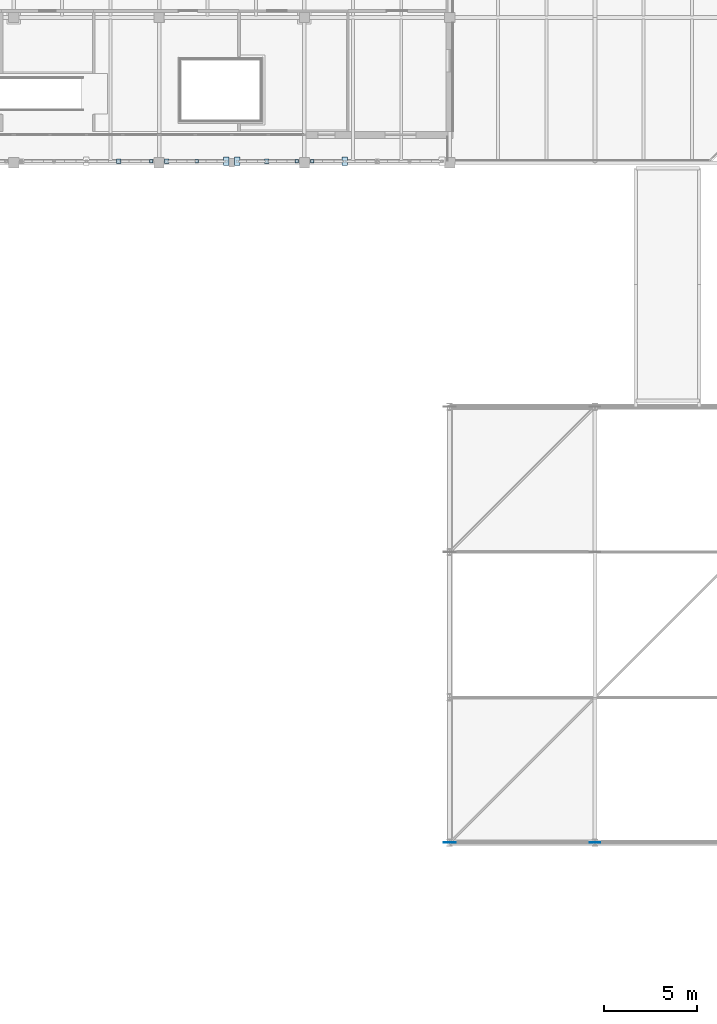
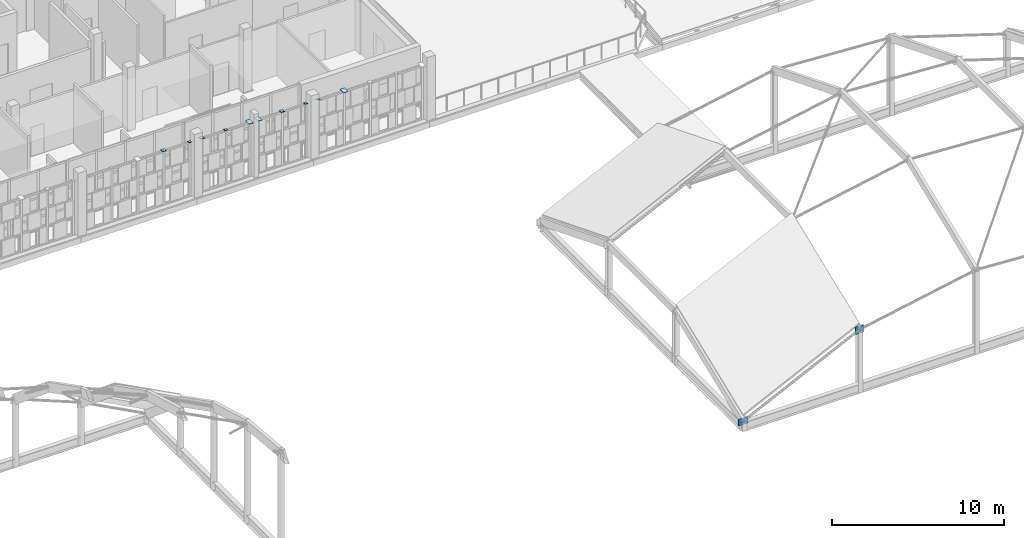
# One storey, part 84 of 119: 12 plates.
"""IFC4 building model written with IfcOpenShell, lengths in metres."""

from ifc_helpers import new_model, si_unit, direction, frame, origin, origin_2d, place, context, subcontext, project, spatial, rectangle, extrude, material, layer, layer_set, type_object, element, save


model = new_model("IFC4")

# Units and contexts
model_context = context("Model", 3, precision=1e-05, world=origin(), true_north=direction((0.0, 1.0)))
body_context = subcontext(model_context, "Body", "Model", "MODEL_VIEW")
ifc_project = project(units=[si_unit("LENGTHUNIT", "METRE"), si_unit("AREAUNIT", "SQUARE_METRE"), si_unit("VOLUMEUNIT", "CUBIC_METRE"), si_unit("PLANEANGLEUNIT", "RADIAN"), si_unit("MASSUNIT", "GRAM", prefix="KILO")], contexts=[model_context])

# Site, building, storey
site_placement = place(None, origin())
site = spatial("IfcSite", under=ifc_project, at=site_placement, CompositionType="ELEMENT")
building_placement = place(site_placement, origin())
building = spatial("IfcBuilding", under=site, at=building_placement, Name="Celorna Specialist Clinic", CompositionType="ELEMENT")
storey_placement = place(building_placement, frame((0.0, 0.0, 9.60009765625)))
storey = spatial("IfcBuildingStorey", under=building, at=storey_placement, Name="L02", CompositionType="ELEMENT", Elevation=9.60009765625)

# Plates
ifc_material = material(Name="Steel S355", Category="steel")
ifc_layer_1 = layer(ifc_material, 0.011962890625, Name="Steel S355")
ifc_layer_set_1 = layer_set([ifc_layer_1], Name="Steel S355")
plate_type_1 = type_object("IfcPlateType", Name="EP-06", PredefinedType="SHEET", material=ifc_layer_set_1)
for number, where, z_axis, x_axis, name in (
    (1, (116.5849609375, 96.580078125, 3.83984375), (0.0, 0.0, 1.0), (1.0, 0.0, 0.0), "Screen post cap plate EP-06 #1170"),
    (2, (119.012451171875, 96.580078125, 3.83984375), (0.0, 0.0, 1.0), (1.0, 0.0, 0.0), "Screen post cap plate EP-06 #1188"),
    (3, (124.385009765625, 96.580078125, 3.83984375), (0.0, 0.0, 1.0), (1.0, 0.0, 0.0), "Screen post cap plate EP-06 #1200"),
    (4, (125.215087890625, 96.580078125, 3.83984375), (0.0, 0.0, 1.0), (1.0, 0.0, 0.0), "Screen post cap plate EP-06 #1209"),
):
    element("IfcPlate", number, at=place(storey_placement, frame(where, z_axis=z_axis, x_axis=x_axis)), inside=storey, type_object=plate_type_1, Name=name, PredefinedType="SHEET", context=body_context, shape_type="SweptSolid", body=[
        extrude(rectangle(XDim=0.179931640625, YDim=0.179931640625, at=origin_2d()), origin(), (0.0, 0.0, 1.0), 0.011962890625),
    ])
ifc_layer_2 = layer(ifc_material, 0.01611328125, Name="Steel S355")
ifc_layer_set_2 = layer_set([ifc_layer_2], Name="Steel S355")
plate_type_2 = type_object("IfcPlateType", Name="EP-07", PredefinedType="SHEET", material=ifc_layer_set_2)
for number, where, z_axis, x_axis, name in (
    (5, (120.610107421875, 96.580078125, 3.83984375), (0.0, 0.0, 1.0), (1.0, 0.0, 0.0), "Screen post cap plate EP-07 #1189"),
    (6, (121.18994140625, 96.580078125, 3.83984375), (0.0, 0.0, 1.0), (1.0, 0.0, 0.0), "Screen post cap plate EP-07 #1198"),
    (7, (126.95751953125, 96.580078125, 3.83984375), (0.0, 0.0, 1.0), (1.0, 0.0, 0.0), "Screen post cap plate EP-07 #1210"),
):
    element("IfcPlate", number, at=place(storey_placement, frame(where, z_axis=z_axis, x_axis=x_axis)), inside=storey, type_object=plate_type_2, Name=name, PredefinedType="SHEET", context=body_context, shape_type="SweptSolid", body=[
        extrude(rectangle(XDim=0.300048828125, YDim=0.43994140625, at=origin_2d()), origin(), (0.0, 0.0, 1.0), 0.01611328125),
    ])
ifc_layer_3 = layer(ifc_material, 0.013916015625, Name="Steel S355")
ifc_layer_set_3 = layer_set([ifc_layer_3], Name="Steel S355")
plate_type_3 = type_object("IfcPlateType", Name="EP-08", PredefinedType="SHEET", material=ifc_layer_set_3)
for number, where, z_axis, x_axis, name in (
    (8, (114.842529296875, 96.580078125, 3.83984375), (0.0, 0.0, 1.0), (1.0, 0.0, 0.0), "Screen post cap plate EP-08 #1169"),
    (9, (117.4150390625, 96.580078125, 3.83984375), (0.0, 0.0, 1.0), (1.0, 0.0, 0.0), "Screen post cap plate EP-08 #1187"),
    (10, (122.78759765625, 96.580078125, 3.83984375), (0.0, 0.0, 1.0), (1.0, 0.0, 0.0), "Screen post cap plate EP-08 #1199"),
):
    element("IfcPlate", number, at=place(storey_placement, frame(where, z_axis=z_axis, x_axis=x_axis)), inside=storey, type_object=plate_type_3, Name=name, PredefinedType="SHEET", context=body_context, shape_type="SweptSolid", body=[
        extrude(rectangle(XDim=0.239990234375, YDim=0.239990234375, at=origin_2d()), origin(), (0.0, 0.0, 1.0), 0.013916015625),
    ])
ifc_layer_4 = layer(ifc_material, 0.02197265625, Name="Steel S355")
ifc_layer_set_4 = layer_set([ifc_layer_4], Name="Steel S355")
plate_type_4 = type_object("IfcPlateType", Name="GP-03", PredefinedType="USERDEFINED", material=ifc_layer_set_4)
plate_1_placement = place(storey_placement, frame((132.60009765625, 60.0, 0.35986328125), z_axis=(0.0, 0.0, 1.0), x_axis=(1.0, 0.0, 0.0)))
element("IfcPlate", 11, at=plate_1_placement, inside=storey, type_object=plate_type_4, Name="GSH-V3 gridshell steel node shoe GN-01", ObjectType="GUSSET PLATE", PredefinedType="USERDEFINED", context=body_context, shape_type="SweptSolid", body=[
    extrude(rectangle(XDim=0.639892578125, YDim=0.02197265625, at=origin_2d()), origin(), (0.0, 0.0, 1.0), 0.47998046875),
])
ifc_layer_5 = layer(ifc_material, 0.02001953125, Name="Steel S355")
ifc_layer_set_5 = layer_set([ifc_layer_5], Name="Steel S355")
plate_type_5 = type_object("IfcPlateType", Name="GP-04", PredefinedType="USERDEFINED", material=ifc_layer_set_5)
plate_2_placement = place(storey_placement, frame((140.39990234375, 60.0, 4.098388671875), z_axis=(0.0, 0.0, 1.0), x_axis=(1.0, 0.0, 0.0)))
element("IfcPlate", 12, at=plate_2_placement, inside=storey, type_object=plate_type_5, Name="GSH-V3 gridshell steel node shoe GN-02", ObjectType="GUSSET PLATE", PredefinedType="USERDEFINED", context=body_context, shape_type="SweptSolid", body=[
    extrude(rectangle(XDim=0.5400390625, YDim=0.02001953125, at=origin_2d()), origin(), (0.0, 0.0, 1.0), 0.5400390625),
])

save(model, "model.ifc")
